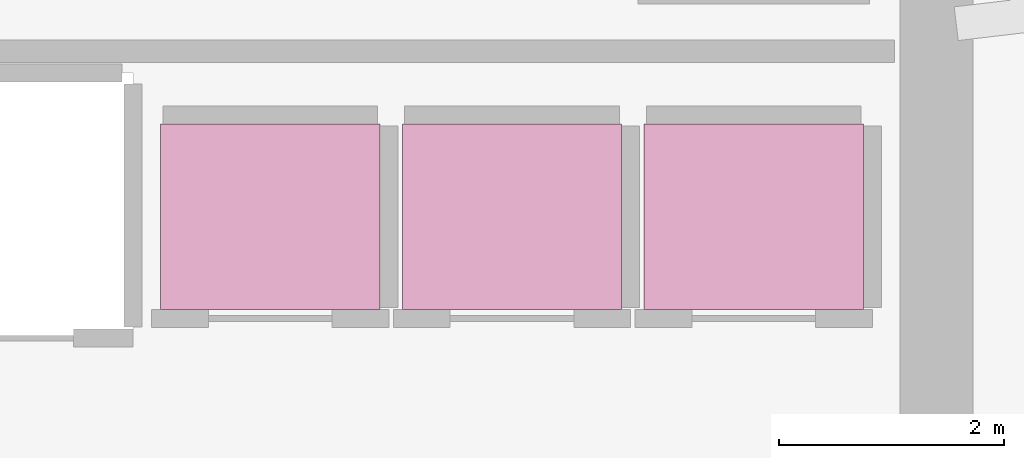
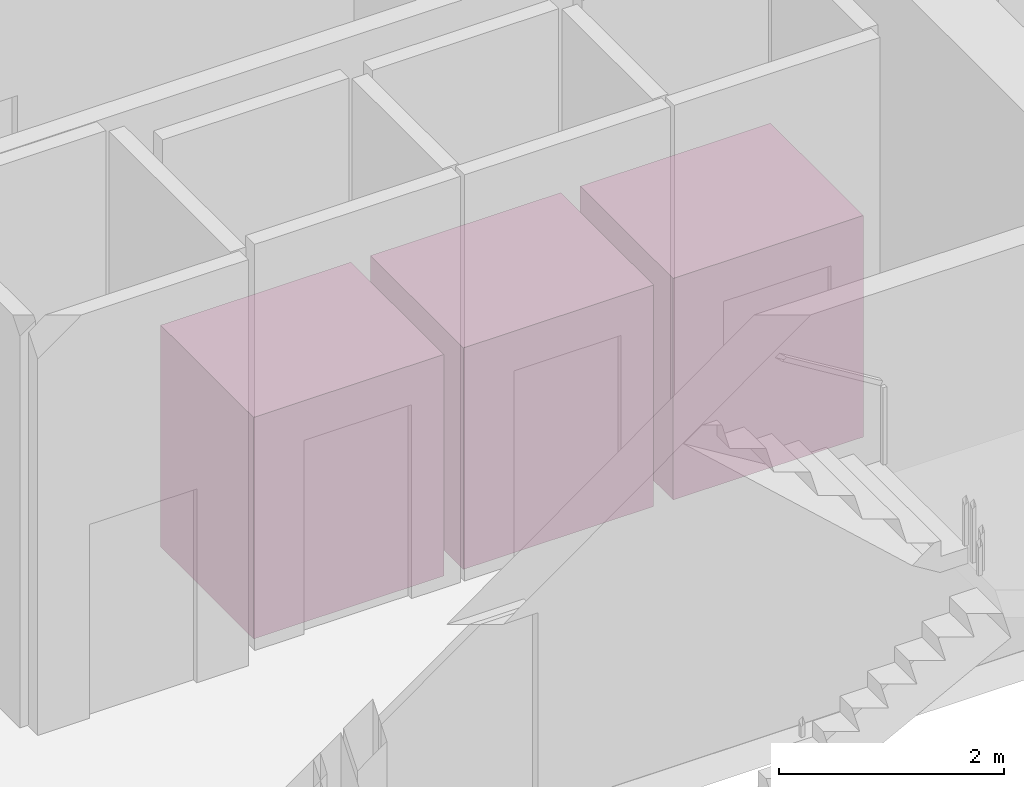
# One storey, part 22 of 22: 3 transport elements.
"""IFC4 building model written with IfcOpenShell, lengths in metres."""

import ifcopenshell
import ifcopenshell.guid

model = None  # the IFC model being written
_history = None  # IfcOwnerHistory: only IFC2X3 demands one
_inside = {}  # id of a spatial element -> (the spatial element, [elements in it])
_under = {}  # id of a project, library or spatial element -> (it, [spatial elements below it])
_declared = {}  # id of a project -> (the project, [libraries it declares])
_typed = {}  # id of a type object -> (the type object, [elements of that type])
_made_of = {}  # id of a material, layer set ... -> (it, [elements and type objects made of it])


def new_model(schema):
    """Start an empty IFC model of exactly this schema.

    Asked for "IFC4X3", IfcOpenShell would pick the latest addendum, in which some entities
    have other attributes; the version numbers below select the first issue.
    IFC2X3 requires an IfcOwnerHistory on every rooted entity: one is made here for all.
    """
    global model, _history
    if schema == "IFC4X3":
        model = ifcopenshell.file(schema_version=(4, 3, 0, 0))
    else:
        model = ifcopenshell.file(schema=schema)
    _inside.clear()
    _under.clear()
    _declared.clear()
    _typed.clear()
    _made_of.clear()
    _history = None
    if model.schema == "IFC2X3":
        org = make("IfcOrganization", Name="unknown")
        user = make(
            "IfcPersonAndOrganization",
            ThePerson=make("IfcPerson", FamilyName="unknown"),
            TheOrganization=org,
        )
        app = make(
            "IfcApplication",
            ApplicationDeveloper=org,
            Version="unknown",
            ApplicationFullName="unknown",
            ApplicationIdentifier="unknown",
        )
        _history = make(
            "IfcOwnerHistory",
            OwningUser=user,
            OwningApplication=app,
            ChangeAction="ADDED",
            CreationDate=0,
        )
    return model


def make(cls, **values):
    """One entity of the class cls with the attributes given. An attribute that is None is left unset."""
    return model.create_entity(
        cls, **{name: value for name, value in values.items() if value is not None}
    )


def rooted(cls, **values):
    """An entity with a GlobalId (a new one), such as an element, a storey or a relation."""
    return make(cls, GlobalId=ifcopenshell.guid.new(), OwnerHistory=_history, **values)


def si_unit(unit_type, name, prefix=None):
    """IfcSIUnit, for example si_unit("LENGTHUNIT", "METRE", prefix="MILLI")."""
    return make("IfcSIUnit", UnitType=unit_type, Prefix=prefix, Name=name)


def assignment(units):
    """IfcUnitAssignment: the units of a project."""
    return None if units is None else make("IfcUnitAssignment", Units=units)


def point(xyz):
    """IfcCartesianPoint."""
    return None if xyz is None else make("IfcCartesianPoint", Coordinates=xyz)


def direction(xyz):
    """IfcDirection."""
    return None if xyz is None else make("IfcDirection", DirectionRatios=xyz)


def frame(location, z_axis=None, x_axis=None):
    """IfcAxis2Placement3D, a coordinate frame: its origin and axes. An axis left out is left unset."""
    return make(
        "IfcAxis2Placement3D",
        Location=point(location),
        Axis=direction(z_axis),
        RefDirection=direction(x_axis),
    )


def frame_2d(location, x_axis=None):
    """IfcAxis2Placement2D, a coordinate frame in the plane: its origin and x axis."""
    return make(
        "IfcAxis2Placement2D", Location=point(location), RefDirection=direction(x_axis)
    )


def origin():
    """The frame at (0, 0, 0) with its axes left unset."""
    return frame((0.0, 0.0, 0.0))


def origin_2d():
    """The frame at (0, 0) in the plane with its x axis left unset."""
    return frame_2d((0.0, 0.0))


def place(relative_to, where):
    """IfcLocalPlacement: puts the frame where relative to a parent placement (None: the world)."""
    return make(
        "IfcLocalPlacement", PlacementRelTo=relative_to, RelativePlacement=where
    )


def context(
    kind, dimensions, precision=None, world=None, true_north=None, identifier=None
):
    """IfcGeometricRepresentationContext, for example the 3D "Model" context."""
    return make(
        "IfcGeometricRepresentationContext",
        ContextIdentifier=identifier,
        ContextType=kind,
        CoordinateSpaceDimension=dimensions,
        Precision=precision,
        WorldCoordinateSystem=world,
        TrueNorth=true_north,
    )


def subcontext(parent, identifier, kind, view, scale=None):
    """IfcGeometricRepresentationSubContext, for example "Body" below "Model"."""
    return make(
        "IfcGeometricRepresentationSubContext",
        ContextIdentifier=identifier,
        ContextType=kind,
        ParentContext=parent,
        TargetScale=scale,
        TargetView=view,
    )


def project(units=None, contexts=None):
    """IfcProject with its units and contexts."""
    return rooted(
        "IfcProject",
        Name="project",
        RepresentationContexts=contexts,
        UnitsInContext=assignment(units),
    )


def spatial(cls, under=None, at=None, **own):
    """A site, building, storey or space (cls), placed at a placement, below another one or the project."""
    s = rooted(cls, ObjectPlacement=at, **own)
    if under is not None:
        _under.setdefault(under.id(), (under, []))[1].append(s)
    return s


def profile(cls, at=None, kind="AREA", **sizes):
    """A parametric profile (cls). Its sizes go by their IFC names, for example OverallWidth=200.0."""
    return make(cls, ProfileType=kind, Position=at, **sizes)


def rectangle(**sizes):
    """IfcRectangleProfileDef."""
    return profile("IfcRectangleProfileDef", **sizes)


def extrude(swept, where, along, depth):
    """IfcExtrudedAreaSolid: the profile swept, set in the frame where, extruded along a direction by depth."""
    return make(
        "IfcExtrudedAreaSolid",
        SweptArea=swept,
        Position=where,
        ExtrudedDirection=direction(along),
        Depth=depth,
    )


def shape(context_of_items, identifier, shape_type, items):
    """IfcShapeRepresentation: the items that make up one representation, for example the "Body"."""
    return make(
        "IfcShapeRepresentation",
        ContextOfItems=context_of_items,
        RepresentationIdentifier=identifier,
        RepresentationType=shape_type,
        Items=items,
    )


def material(Name=None, Category=None):
    """IfcMaterial."""
    return make("IfcMaterial", Name=Name, Category=Category)


def made_of(thing, what):
    """Note that an element or type object is made of a material, layer set ...; save() writes the relation."""
    if what is not None:
        _made_of.setdefault(what.id(), (what, []))[1].append(thing)
    return thing


def type_object(cls, material=None, **own):
    """A type object (cls), such as IfcWallType, which elements share."""
    return made_of(rooted(cls, **own), material)


def element(
    cls,
    number,
    at=None,
    inside=None,
    cuts=None,
    type_object=None,
    material=None,
    context=None,
    identifier="Body",
    shape_type=None,
    held_by="IfcProductDefinitionShape",
    body=None,
    shapes=None,
    **own,
):
    """One element of the class cls, such as IfcWall. Its Tag is "e" and its number.

    at: its placement. inside: the storey or other place that contains it. cuts: it is an
    opening in that element (IfcRelVoidsElement). A single representation is given by context,
    identifier, shape_type and body (its items); several are given by shapes. held_by: the class
    of the entity that holds the representations. save() writes the other relations.
    """
    e = rooted(cls, Tag="e%d" % number, ObjectPlacement=at, **own)
    if body is not None:
        shapes = [shape(context, identifier, shape_type, body)]
    if shapes is not None:
        e.Representation = make(held_by, Representations=shapes)
    if inside is not None:
        _inside.setdefault(inside.id(), (inside, []))[1].append(e)
    if cuts is not None:
        rooted(
            "IfcRelVoidsElement", RelatingBuildingElement=cuts, RelatedOpeningElement=e
        )
    if type_object is not None:
        _typed.setdefault(type_object.id(), (type_object, []))[1].append(e)
    return made_of(e, material)


def aggregate(whole, parts):
    """IfcRelAggregates: a whole, such as a stair, and the parts it consists of."""
    return rooted("IfcRelAggregates", RelatingObject=whole, RelatedObjects=parts)


def save(model, path):
    """Write the relations noted so far, then the file.

    IfcRelAggregates (storeys below a building ...), IfcRelContainedInSpatialStructure (elements
    in a storey), IfcRelDefinesByType, IfcRelAssociatesMaterial and IfcRelDeclares: one each for
    every whole, place, type object, material and project.
    """
    for whole, parts in _under.values():
        aggregate(whole, parts)
    for where, things in _inside.values():
        rooted(
            "IfcRelContainedInSpatialStructure",
            RelatedElements=things,
            RelatingStructure=where,
        )
    for kind, things in _typed.values():
        rooted("IfcRelDefinesByType", RelatedObjects=things, RelatingType=kind)
    for what, things in _made_of.values():
        rooted("IfcRelAssociatesMaterial", RelatedObjects=things, RelatingMaterial=what)
    for by, libraries in _declared.values():
        rooted("IfcRelDeclares", RelatingContext=by, RelatedDefinitions=libraries)
    model.write(path)


model = new_model("IFC4")

# Units and contexts
model_context = context("Model", 3, precision=1e-05, world=origin(), true_north=direction((0.0, 1.0)))
body_context = subcontext(model_context, "Body", "Model", "MODEL_VIEW")
ifc_project = project(units=[si_unit("LENGTHUNIT", "METRE"), si_unit("AREAUNIT", "SQUARE_METRE"), si_unit("VOLUMEUNIT", "CUBIC_METRE"), si_unit("PLANEANGLEUNIT", "RADIAN"), si_unit("MASSUNIT", "GRAM", prefix="KILO")], contexts=[model_context])

# Site, building, storey
site_placement = place(None, origin())
site = spatial("IfcSite", under=ifc_project, at=site_placement, CompositionType="ELEMENT")
building_placement = place(site_placement, origin())
building = spatial("IfcBuilding", under=site, at=building_placement, Name="Kazma Halo Residences", CompositionType="ELEMENT")
storey_placement = place(building_placement, frame((0.0, 0.0, 231.89990234375)))
storey = spatial("IfcBuildingStorey", under=building, at=storey_placement, Name="L58", CompositionType="ELEMENT", Elevation=231.89990234375)

# Transport elements
ifc_material = material(Name="Brushed Stainless Steel Cab", Category="steel")
transport_element_type = type_object("IfcTransportElementType", Name="LFT-PASS-HIGH", PredefinedType="ELEVATOR", material=ifc_material)
for number, where, z_axis, x_axis, name in (
    (1, (53.449951171875, 41.64990234375, 0.000244140625), (0.0, 0.0, 1.0), (1.0, 0.0, 0.0), "Elevator PH-01"),
    (2, (55.60009765625, 41.64990234375, 0.000244140625), (0.0, 0.0, 1.0), (1.0, 0.0, 0.0), "Elevator PH-02"),
    (3, (57.75, 41.64990234375, 0.000244140625), (0.0, 0.0, 1.0), (1.0, 0.0, 0.0), "Elevator PH-03"),
):
    element("IfcTransportElement", number, at=place(storey_placement, frame(where, z_axis=z_axis, x_axis=x_axis)), inside=storey, type_object=transport_element_type, Name=name, PredefinedType="ELEVATOR", context=body_context, shape_type="SweptSolid", body=[
        extrude(rectangle(XDim=1.949951171875, YDim=1.64990234375, at=origin_2d()), origin(), (0.0, 0.0, 1.0), 2.39990234375),
    ])

save(model, "model.ifc")
